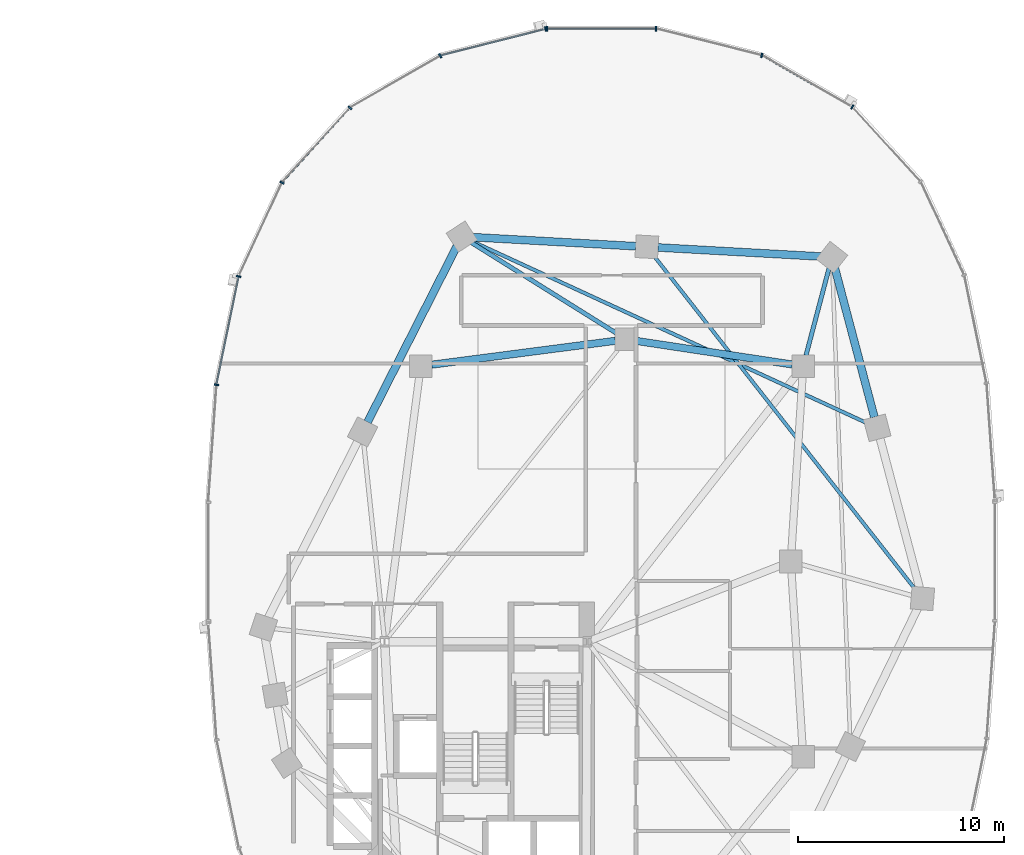
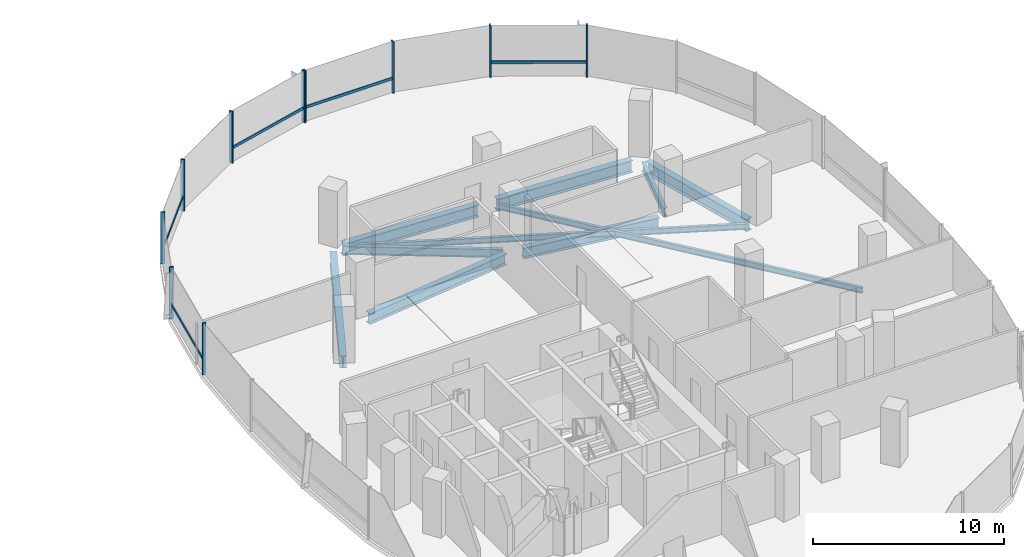
# One storey, part 7 of 21: 15 members, 10 beams, 2 elements without a shape of their own.
"""IFC4 building model written with IfcOpenShell, lengths in metres."""

from ifc_helpers import new_model, si_unit, direction, frame, origin, origin_2d, place, context, subcontext, project, spatial, rectangle, i_section, extrude, material, material_profile, profile_set, type_object, element, aggregate, save


model = new_model("IFC4")

# Units and contexts
model_context = context("Model", 3, precision=1e-05, world=origin(), true_north=direction((0.0, 1.0)))
body_context = subcontext(model_context, "Body", "Model", "MODEL_VIEW")
ifc_project = project(units=[si_unit("LENGTHUNIT", "METRE"), si_unit("AREAUNIT", "SQUARE_METRE"), si_unit("VOLUMEUNIT", "CUBIC_METRE"), si_unit("PLANEANGLEUNIT", "RADIAN"), si_unit("MASSUNIT", "GRAM", prefix="KILO"), si_unit("THERMODYNAMICTEMPERATUREUNIT", "KELVIN"), si_unit("POWERUNIT", "WATT")], contexts=[model_context])

# Site, building, storey
site_placement = place(None, origin())
site = spatial("IfcSite", under=ifc_project, at=site_placement, CompositionType="ELEMENT")
building_placement = place(site_placement, origin())
building = spatial("IfcBuilding", under=site, at=building_placement, Name="Cundina Bronze Exchange", CompositionType="ELEMENT")
storey_placement = place(building_placement, frame((0.0, 0.0, 92.60009765625)))
storey = spatial("IfcBuildingStorey", under=building, at=storey_placement, Name="L23", CompositionType="ELEMENT", Elevation=92.60009765625)

# Beams
ifc_material_1 = material(Name="Steel ASTM A992 Grade 50", Category="steel")
ifc_material_profile_1 = material_profile(ifc_material_1, i_section(OverallWidth=0.2099609375, OverallDepth=0.532958984375, WebThickness=0.01025390625, FlangeThickness=0.015625, FilletRadius=0.013916015625, at=origin_2d()), Name="W21X62", Category="steel")
ifc_profile_set_1 = profile_set([ifc_material_profile_1], Name="Steel ASTM A992 Grade 50")
beam_type_1 = type_object("IfcBeamType", Name="BM-FLR-W21B", PredefinedType="BEAM", material=ifc_profile_set_1)
beam_1_placement = place(storey_placement, frame((41.9375, 10.020263671875, -0.566650390625), z_axis=(0.255357891402, 0.966846599673, 0.0), x_axis=(-0.966846599673, 0.255357891402, 0.0)))
element("IfcBeam", 1, at=beam_1_placement, inside=storey, type_object=beam_type_1, Name="L23 Leg E Chordal Floor Beam 10", PredefinedType="BEAM", context=body_context, shape_type="SweptSolid", body=[
    extrude(i_section(OverallWidth=0.2099609375, OverallDepth=0.532958984375, WebThickness=0.01025390625, FlangeThickness=0.015625, FilletRadius=0.013916015625, at=origin_2d()), origin(), (0.0, 0.0, 1.0), 4.405517578125),
])
beam_2_placement = place(storey_placement, frame((32.743896484375, 11.085205078125, -0.566650390625), z_axis=(-0.848003227047, 0.529991063055, 0.0), x_axis=(-0.529991063055, -0.848003227047, 0.0)))
element("IfcBeam", 2, at=beam_2_placement, inside=storey, type_object=beam_type_1, Name="L23 Leg E Chordal Floor Beam 12", PredefinedType="BEAM", context=body_context, shape_type="SweptSolid", body=[
    extrude(i_section(OverallWidth=0.2099609375, OverallDepth=0.532958984375, WebThickness=0.01025390625, FlangeThickness=0.015625, FilletRadius=0.013916015625, at=origin_2d()), origin(), (0.0, 0.0, 1.0), 8.358154296875),
])
ifc_material_profile_2 = material_profile(ifc_material_1, i_section(OverallWidth=0.172119140625, OverallDepth=0.35791015625, WebThickness=0.0078125, FlangeThickness=0.01318359375, FilletRadius=0.010009765625, at=origin_2d()), Name="W14X38", Category="steel")
ifc_profile_set_2 = profile_set([ifc_material_profile_2], Name="Steel ASTM A992 Grade 50")
beam_type_2 = type_object("IfcBeamType", Name="BM-JST-W14", PredefinedType="JOIST", material=ifc_profile_set_2)
beam_3_placement = place(storey_placement, frame((47.268310546875, -1.37646484375, -0.47900390625), z_axis=(-0.616815348306, 0.787107887201, 0.0), x_axis=(-0.787107887201, -0.616815348306, 0.0)))
element("IfcBeam", 3, at=beam_3_placement, inside=storey, type_object=beam_type_2, Name="L23 Leg E Lobe Floor Joist 08-11", PredefinedType="JOIST", context=body_context, shape_type="SweptSolid", body=[
    extrude(i_section(OverallWidth=0.172119140625, OverallDepth=0.35791015625, WebThickness=0.0078125, FlangeThickness=0.01318359375, FilletRadius=0.010009765625, at=origin_2d()), origin(), (0.0, 0.0, 1.0), 20.64892578125),
])
beam_4_placement = place(storey_placement, frame((44.911376953125, 6.72509765625, -0.47900390625), z_axis=(-0.908357076874, 0.41819543385, 0.0), x_axis=(-0.41819543385, -0.908357076874, 0.0)))
element("IfcBeam", 4, at=beam_4_placement, inside=storey, type_object=beam_type_2, Name="L23 Leg E Lobe Floor Joist 09-12", PredefinedType="JOIST", context=body_context, shape_type="SweptSolid", body=[
    extrude(i_section(OverallWidth=0.172119140625, OverallDepth=0.35791015625, WebThickness=0.0078125, FlangeThickness=0.01318359375, FilletRadius=0.010009765625, at=origin_2d()), origin(), (0.0, 0.0, 1.0), 21.162109375),
])
ifc_material_profile_3 = material_profile(ifc_material_1, i_section(OverallWidth=0.35498046875, OverallDepth=0.695068359375, WebThickness=0.015380859375, FlangeThickness=0.02490234375, FilletRadius=0.01806640625, at=origin_2d()), Name="W27X146", Category="steel")
ifc_profile_set_3 = profile_set([ifc_material_profile_3], Name="Steel ASTM A992 Grade 50")
beam_type_3 = type_object("IfcBeamType", Name="BM-RING-W27", PredefinedType="USERDEFINED", material=ifc_profile_set_3)
beam_5_placement = place(storey_placement, frame((41.26806640625, 9.580322265625, -0.647705078125), z_axis=(-0.988767489563, 0.149461873341, 0.0), x_axis=(-0.149461873341, -0.988767489563, 0.0)))
element("IfcBeam", 5, at=beam_5_placement, inside=storey, type_object=beam_type_3, Name="L23 E Inner Structural Ring Girder 05", ObjectType="GIRDER", PredefinedType="USERDEFINED", context=body_context, shape_type="SweptSolid", body=[
    extrude(i_section(OverallWidth=0.35498046875, OverallDepth=0.695068359375, WebThickness=0.015380859375, FlangeThickness=0.02490234375, FilletRadius=0.01806640625, at=origin_2d()), origin(), (0.0, 0.0, 1.0), 7.621826171875),
])
beam_6_placement = place(storey_placement, frame((32.66650390625, 10.730712890625, -0.647705078125), z_axis=(-0.991654577907, -0.128923225666, 0.0), x_axis=(0.128923225666, -0.991654577907, 0.0)))
element("IfcBeam", 6, at=beam_6_placement, inside=storey, type_object=beam_type_3, Name="L23 E Inner Structural Ring Girder 06", ObjectType="GIRDER", PredefinedType="USERDEFINED", context=body_context, shape_type="SweptSolid", body=[
    extrude(i_section(OverallWidth=0.35498046875, OverallDepth=0.695068359375, WebThickness=0.015380859375, FlangeThickness=0.02490234375, FilletRadius=0.01806640625, at=origin_2d()), origin(), (0.0, 0.0, 1.0), 9.00830078125),
])
ifc_material_profile_4 = material_profile(ifc_material_1, i_section(OverallWidth=0.381103515625, OverallDepth=0.77294921875, WebThickness=0.0166015625, FlangeThickness=0.027099609375, FilletRadius=0.01904296875, at=origin_2d()), Name="W30X173", Category="steel")
ifc_profile_set_4 = profile_set([ifc_material_profile_4], Name="Steel ASTM A992 Grade 50")
beam_type_4 = type_object("IfcBeamType", Name="BM-RING-W30", PredefinedType="USERDEFINED", material=ifc_profile_set_4)
beam_7_placement = place(storey_placement, frame((45.26220703125, 7.02001953125, -0.6865234375), z_axis=(-0.256209719931, 0.966621218168, 0.0), x_axis=(-0.966621218168, -0.256209719931, 0.0)))
element("IfcBeam", 7, at=beam_7_placement, inside=storey, type_object=beam_type_4, Name="L23 E Perimeter Ring Girder 09", ObjectType="GIRDER", PredefinedType="USERDEFINED", context=body_context, shape_type="SweptSolid", body=[
    extrude(i_section(OverallWidth=0.381103515625, OverallDepth=0.77294921875, WebThickness=0.0166015625, FlangeThickness=0.027099609375, FilletRadius=0.01904296875, at=origin_2d()), origin(), (0.0, 0.0, 1.0), 7.5107421875),
])
for number, where, z_axis, x_axis, name in (
    (8, (42.662841796875, 14.829833984375, -0.6865234375), (-0.99845950136, 0.055485350721, 0.0), (-0.055485350721, -0.99845950136, 0.0), "L23 E Perimeter Ring Girder 10"),
    (9, (33.662841796875, 15.329833984375, -0.6865234375), (-0.99845950136, 0.055485350721, 0.0), (-0.055485350721, -0.99845950136, 0.0), "L23 E Perimeter Ring Girder 11"),
):
    element("IfcBeam", number, at=place(storey_placement, frame(where, z_axis=z_axis, x_axis=x_axis)), inside=storey, type_object=beam_type_4, Name=name, ObjectType="GIRDER", PredefinedType="USERDEFINED", context=body_context, shape_type="SweptSolid", body=[
        extrude(i_section(OverallWidth=0.381103515625, OverallDepth=0.77294921875, WebThickness=0.0166015625, FlangeThickness=0.027099609375, FilletRadius=0.01904296875, at=origin_2d()), origin(), (0.0, 0.0, 1.0), 7.937744140625),
    ])
beam_8_placement = place(storey_placement, frame((24.956298828125, 15.3203125, -0.6865234375), z_axis=(-0.452832332744, -0.891595692241, 0.0), x_axis=(0.891595692241, -0.452832332744, 0.0)))
element("IfcBeam", 10, at=beam_8_placement, inside=storey, type_object=beam_type_4, Name="L23 E Perimeter Ring Girder 12", ObjectType="GIRDER", PredefinedType="USERDEFINED", context=body_context, shape_type="SweptSolid", body=[
    extrude(i_section(OverallWidth=0.381103515625, OverallDepth=0.77294921875, WebThickness=0.0166015625, FlangeThickness=0.027099609375, FilletRadius=0.01904296875, at=origin_2d()), origin(), (0.0, 0.0, 1.0), 9.578857421875),
])

# Curtain wall, members
ifc_material_2 = material(Name="Anodised Bronze Aluminium 6063-T6", Category="aluminium")
curtain_wall_type = type_object("IfcCurtainWallType", Name="CWS-TRD-MID", PredefinedType="NOTDEFINED", material=ifc_material_2)
curtain_wall_1_placement = place(storey_placement, origin())
curtain_wall_1 = element("IfcCurtainWall", 11, at=curtain_wall_1_placement, inside=storey, type_object=curtain_wall_type, Name="L23 CW-03 Curtain Wall Run CWR-L23-E1", PredefinedType="NOTDEFINED")
ifc_material_profile_5 = material_profile(ifc_material_2, rectangle(XDim=0.074951171875, YDim=0.219970703125, at=origin_2d()), Name="AL75X220", Category="aluminium")
ifc_profile_set_5 = profile_set([ifc_material_profile_5], Name="Anodised Bronze Aluminium 6063-T6")
member_type_1 = type_object("IfcMemberType", Name="CWM-MUL-220", PredefinedType="MULLION", material=ifc_profile_set_5)
member_1_placement = place(storey_placement, frame((44.189697265625, 22.097412109375, 0.0), z_axis=(0.0, 0.0, 1.0), x_axis=(-0.867070701164, 0.498185105339, 0.0)))
member_1 = element("IfcMember", 12, at=member_1_placement, type_object=member_type_1, Name="CW-03 Mullion 5", PredefinedType="MULLION", context=body_context, shape_type="SweptSolid", body=[
    extrude(rectangle(XDim=0.074951171875, YDim=0.219970703125, at=origin_2d()), origin(), (0.0, 0.0, 1.0), 3.2998046875),
])
member_2_placement = place(storey_placement, frame((39.78515625, 24.61669921875, 0.0), z_axis=(0.0, 0.0, 1.0), x_axis=(-0.969488149345, 0.245138182011, 0.0)))
member_2 = element("IfcMember", 13, at=member_2_placement, type_object=member_type_1, Name="CW-03 Mullion 6", PredefinedType="MULLION", context=body_context, shape_type="SweptSolid", body=[
    extrude(rectangle(XDim=0.074951171875, YDim=0.219970703125, at=origin_2d()), origin(), (0.0, 0.0, 1.0), 3.2998046875),
])
member_3_placement = place(storey_placement, frame((34.654541015625, 25.905029296875, 0.0), z_axis=(0.0, 0.0, 1.0), x_axis=(-1.0, 0.0, 0.0)))
member_3 = element("IfcMember", 14, at=member_3_placement, type_object=member_type_1, Name="CW-03 Mullion 7", PredefinedType="MULLION", context=body_context, shape_type="SweptSolid", body=[
    extrude(rectangle(XDim=0.074951171875, YDim=0.219970703125, at=origin_2d()), origin(), (0.0, 0.0, 1.0), 3.2998046875),
])
member_4_placement = place(storey_placement, frame((29.345458984375, 25.905029296875, 0.0), z_axis=(0.0, 0.0, 1.0), x_axis=(-1.0, 0.0, 0.0)))
member_4 = element("IfcMember", 15, at=member_4_placement, type_object=member_type_1, Name="CW-03 End Mullion", PredefinedType="MULLION", context=body_context, shape_type="SweptSolid", body=[
    extrude(rectangle(XDim=0.074951171875, YDim=0.219970703125, at=origin_2d()), origin(), (0.0, 0.0, 1.0), 3.2998046875),
])

curtain_wall_2_placement = place(storey_placement, origin())
curtain_wall_2 = element("IfcCurtainWall", 16, at=curtain_wall_2_placement, inside=storey, type_object=curtain_wall_type, Name="L23 CW-03 Curtain Wall Run CWR-L23-E2", PredefinedType="NOTDEFINED")
member_5_placement = place(storey_placement, frame((29.27392578125, 25.89599609375, 0.0), z_axis=(0.0, 0.0, 1.0), x_axis=(-0.969488149345, -0.245138182011, 0.0)))
member_5 = element("IfcMember", 17, at=member_5_placement, type_object=member_type_1, Name="CW-03 Mullion 1", PredefinedType="MULLION", context=body_context, shape_type="SweptSolid", body=[
    extrude(rectangle(XDim=0.074951171875, YDim=0.219970703125, at=origin_2d()), origin(), (0.0, 0.0, 1.0), 3.2998046875),
])
member_6_placement = place(storey_placement, frame((24.151123046875, 24.591064453125, 0.0), z_axis=(0.0, 0.0, 1.0), x_axis=(-0.867070701164, -0.498185105339, 0.0)))
member_6 = element("IfcMember", 18, at=member_6_placement, type_object=member_type_1, Name="CW-03 Mullion 2", PredefinedType="MULLION", context=body_context, shape_type="SweptSolid", body=[
    extrude(rectangle(XDim=0.074951171875, YDim=0.219970703125, at=origin_2d()), origin(), (0.0, 0.0, 1.0), 3.2998046875),
])
member_7_placement = place(storey_placement, frame((19.760498046875, 22.0576171875, 0.0), z_axis=(0.0, 0.0, 1.0), x_axis=(-0.674302387584, -0.738455340626, 0.0)))
member_7 = element("IfcMember", 19, at=member_7_placement, type_object=member_type_1, Name="CW-03 Mullion 3", PredefinedType="MULLION", context=body_context, shape_type="SweptSolid", body=[
    extrude(rectangle(XDim=0.074951171875, YDim=0.219970703125, at=origin_2d()), origin(), (0.0, 0.0, 1.0), 3.2998046875),
])
member_8_placement = place(storey_placement, frame((16.455810546875, 18.423583984375, 0.0), z_axis=(0.0, 0.0, 1.0), x_axis=(-0.42087749791, -0.907117485088, 0.0)))
member_8 = element("IfcMember", 20, at=member_8_placement, type_object=member_type_1, Name="CW-03 Mullion 4", PredefinedType="MULLION", context=body_context, shape_type="SweptSolid", body=[
    extrude(rectangle(XDim=0.074951171875, YDim=0.219970703125, at=origin_2d()), origin(), (0.0, 0.0, 1.0), 3.2998046875),
])
member_9_placement = place(storey_placement, frame((14.348876953125, 13.861328125, 0.0), z_axis=(0.0, 0.0, 1.0), x_axis=(-0.201419845156, -0.979505000486, 0.0)))
member_9 = element("IfcMember", 21, at=member_9_placement, type_object=member_type_1, Name="CW-03 Mullion 5", PredefinedType="MULLION", context=body_context, shape_type="SweptSolid", body=[
    extrude(rectangle(XDim=0.074951171875, YDim=0.219970703125, at=origin_2d()), origin(), (0.0, 0.0, 1.0), 3.2998046875),
])
member_10_placement = place(storey_placement, frame((13.27099609375, 8.591552734375, 0.0), z_axis=(0.0, 0.0, 1.0), x_axis=(-0.070278787473, -0.997527389113, 0.0)))
member_10 = element("IfcMember", 22, at=member_10_placement, type_object=member_type_1, Name="CW-03 Mullion 6", PredefinedType="MULLION", context=body_context, shape_type="SweptSolid", body=[
    extrude(rectangle(XDim=0.074951171875, YDim=0.219970703125, at=origin_2d()), origin(), (0.0, 0.0, 1.0), 3.2998046875),
])

# Member
ifc_material_profile_6 = material_profile(ifc_material_2, rectangle(XDim=0.070068359375, YDim=0.179931640625, at=origin_2d()), Name="AL70X180", Category="aluminium")
ifc_profile_set_6 = profile_set([ifc_material_profile_6], Name="Anodised Bronze Aluminium 6063-T6")
member_type_2 = type_object("IfcMemberType", Name="CWM-TRN-180", PredefinedType="USERDEFINED", material=ifc_profile_set_6)
member_11_placement = place(storey_placement, frame((44.154052734375, 22.117919921875, 0.919921875), z_axis=(-0.867097475651, 0.498138502546, 0.0), x_axis=(-0.498138502546, -0.867097475651, 0.0)))
member_11 = element("IfcMember", 23, at=member_11_placement, type_object=member_type_2, Name="CW-03 Spandrel Transom 5", ObjectType="TRANSOM", PredefinedType="USERDEFINED", context=body_context, shape_type="SweptSolid", body=[
    extrude(rectangle(XDim=0.070068359375, YDim=0.179931640625, at=origin_2d()), origin(), (0.0, 0.0, 1.0), 5.00634765625),
])

member_12_placement = place(storey_placement, frame((34.61328125, 25.905029296875, 0.919921875), z_axis=(-1.0, 0.0, 0.0), x_axis=(0.0, -1.0, 0.0)))
member_12 = element("IfcMember", 24, at=member_12_placement, type_object=member_type_2, Name="CW-03 Spandrel Transom 7", ObjectType="TRANSOM", PredefinedType="USERDEFINED", context=body_context, shape_type="SweptSolid", body=[
    extrude(rectangle(XDim=0.070068359375, YDim=0.179931640625, at=origin_2d()), origin(), (0.0, 0.0, 1.0), 5.2265625),
])

aggregate(curtain_wall_1, [member_1, member_11, member_2, member_3, member_4, member_12])

member_13_placement = place(storey_placement, frame((29.23388671875, 25.885986328125, 0.919921875), z_axis=(-0.969483968866, -0.245154714644, 0.0), x_axis=(0.245154714644, -0.969483968866, 0.0)))
member_13 = element("IfcMember", 25, at=member_13_placement, type_object=member_type_2, Name="CW-03 Spandrel Transom 1", ObjectType="TRANSOM", PredefinedType="USERDEFINED", context=body_context, shape_type="SweptSolid", body=[
    extrude(rectangle(XDim=0.070068359375, YDim=0.179931640625, at=origin_2d()), origin(), (0.0, 0.0, 1.0), 5.21826171875),
])

member_14_placement = place(storey_placement, frame((19.73291015625, 22.027099609375, 0.919921875), z_axis=(-0.674302794847, -0.738454968743, 0.0), x_axis=(0.738454968743, -0.674302794847, 0.0)))
member_14 = element("IfcMember", 26, at=member_14_placement, type_object=member_type_2, Name="CW-03 Spandrel Transom 3", ObjectType="TRANSOM", PredefinedType="USERDEFINED", context=body_context, shape_type="SweptSolid", body=[
    extrude(rectangle(XDim=0.070068359375, YDim=0.179931640625, at=origin_2d()), origin(), (0.0, 0.0, 1.0), 4.848388671875),
])

member_15_placement = place(storey_placement, frame((14.340576171875, 13.821044921875, 0.919921875), z_axis=(-0.201427712708, -0.979503382615, 0.0), x_axis=(0.979503382615, -0.201427712708, 0.0)))
member_15 = element("IfcMember", 27, at=member_15_placement, type_object=member_type_2, Name="CW-03 Spandrel Transom 5", ObjectType="TRANSOM", PredefinedType="USERDEFINED", context=body_context, shape_type="SweptSolid", body=[
    extrude(rectangle(XDim=0.070068359375, YDim=0.179931640625, at=origin_2d()), origin(), (0.0, 0.0, 1.0), 5.291748046875),
])

aggregate(curtain_wall_2, [member_5, member_13, member_6, member_7, member_14, member_8, member_9, member_15, member_10])

save(model, "model.ifc")
